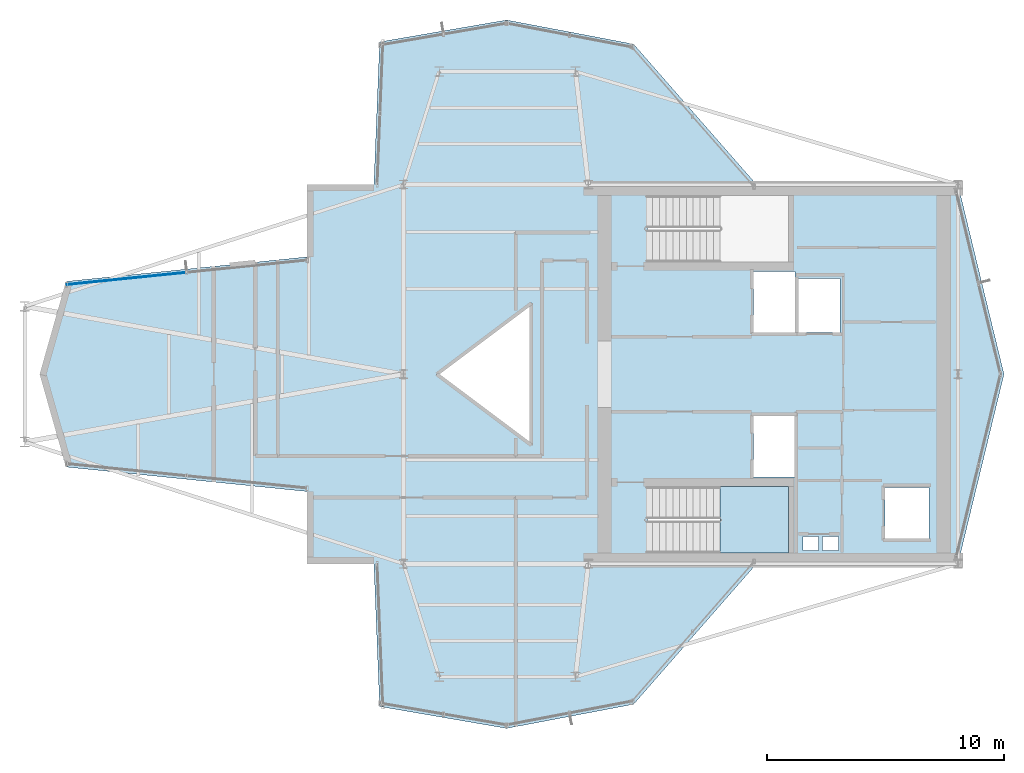
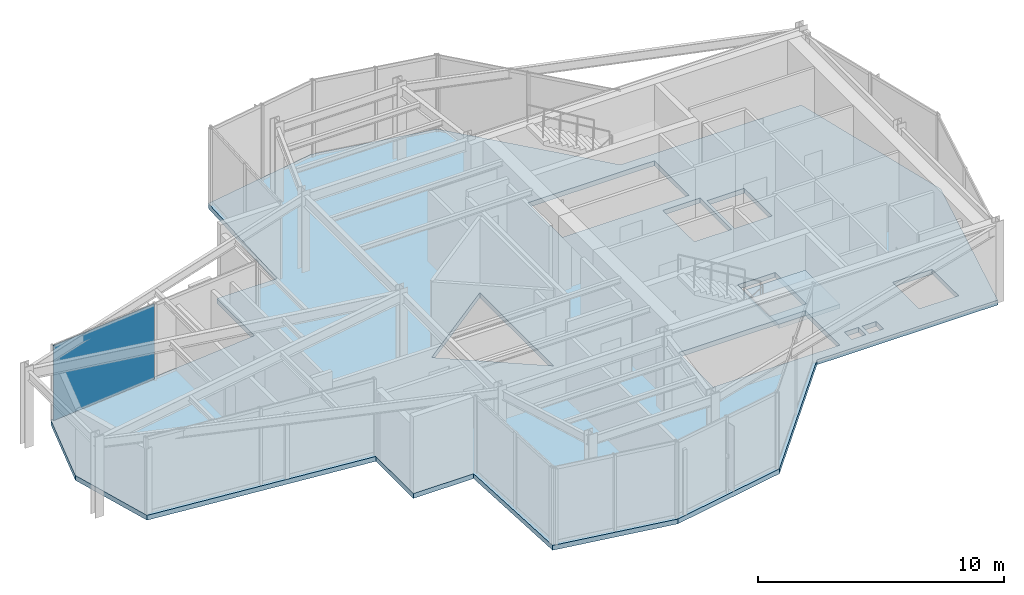
# One storey, part 10 of 15: 2 slabs, 1 plate, 2 elements without a shape of their own.
"""IFC4 building model written with IfcOpenShell, lengths in metres."""

from ifc_helpers import new_model, si_unit, direction, frame, origin, origin_2d, place, context, subcontext, project, spatial, polyline, rectangle, outline, extrude, material, layer, layer_set, type_object, element, aggregate, save


model = new_model("IFC4")

# Units and contexts
model_context = context("Model", 3, precision=1e-05, world=origin(), true_north=direction((0.0, 1.0)))
body_context = subcontext(model_context, "Body", "Model", "MODEL_VIEW")
ifc_project = project(units=[si_unit("LENGTHUNIT", "METRE"), si_unit("AREAUNIT", "SQUARE_METRE"), si_unit("VOLUMEUNIT", "CUBIC_METRE"), si_unit("PLANEANGLEUNIT", "RADIAN"), si_unit("MASSUNIT", "GRAM", prefix="KILO")], contexts=[model_context])

# Site, building, storey
site_placement = place(None, origin())
site = spatial("IfcSite", under=ifc_project, at=site_placement, CompositionType="ELEMENT")
building_placement = place(site_placement, origin())
building = spatial("IfcBuilding", under=site, at=building_placement, Name="Veymaron Broadcast Tower", CompositionType="ELEMENT")
storey_placement = place(building_placement, frame((0.0, 0.0, 266.85009765625)))
storey = spatial("IfcBuildingStorey", under=building, at=storey_placement, Name="L62", CompositionType="ELEMENT", Elevation=266.85009765625)

# Curtain wall, plate
ifc_material_1 = material(Name="Anodised aluminium AA 6063-T6 and laminated low-E dark glass", Category="aluminium")
ifc_layer_1 = layer(ifc_material_1, 0.179931640625)
ifc_layer_set_1 = layer_set([ifc_layer_1], Name="Anodised aluminium AA 6063-T6 and laminated low-E dark glass")
curtain_wall_type = type_object("IfcCurtainWallType", Name="CW-SYS-06", PredefinedType="NOTDEFINED", material=ifc_layer_set_1)
curtain_wall_placement = place(storey_placement, origin())
curtain_wall = element("IfcCurtainWall", 1, at=curtain_wall_placement, inside=storey, type_object=curtain_wall_type, Name="L62 dark-glass curtain wall CW-L62-E11-1", PredefinedType="NOTDEFINED")
ifc_material_2 = material(Name="Insulated dark-anodised aluminium spandrel panel 40 mm", Category="aluminium")
ifc_layer_2 = layer(ifc_material_2, 0.0400390625)
ifc_layer_set_2 = layer_set([ifc_layer_2], Name="Insulated dark-anodised aluminium spandrel panel 40 mm")
plate_type = type_object("IfcPlateType", Name="CW-PNL-03", PredefinedType="CURTAIN_PANEL", material=ifc_layer_set_2)
plate_placement = place(storey_placement, frame((19.5146484375, 28.03466796875, 0.039794921875), z_axis=(0.0, 0.0, 1.0), x_axis=(-0.994870120783, -0.101160480293, 0.0)))
plate = element("IfcPlate", 2, at=plate_placement, type_object=plate_type, Name="CW-L62-E11-1 unitised curtain panel 1", PredefinedType="CURTAIN_PANEL", context=body_context, shape_type="SweptSolid", body=[
    extrude(rectangle(XDim=5.047119140625, YDim=0.0400390625, at=origin_2d()), origin(), (0.0, 0.0, 1.0), 3.72998046875),
])
aggregate(curtain_wall, [plate])

# Slab
ifc_material_3 = material(Name="Concrete C40/50", Category="concrete")
ifc_layer_3 = layer(ifc_material_3, 0.239990234375)
ifc_layer_set_3 = layer_set([ifc_layer_3], Name="Concrete C40/50")
slab_type_1 = type_object("IfcSlabType", Name="SLAB-FS6", PredefinedType="FLOOR", material=ifc_layer_set_3)
slab_1_placement = place(storey_placement, frame((0.0, 0.0, -0.239990234375)))
element("IfcSlab", 3, at=slab_1_placement, inside=storey, type_object=slab_type_1, Name="L62 structural floor slab", PredefinedType="FLOOR", context=body_context, shape_type="SweptSolid", body=[
    extrude(outline(polyline([(46.099853515625, 16.0), (54.60009765625, 16.0), (56.540283203125, 24.0), (54.60009765625, 32.0), (46.099853515625, 32.0), (40.911376953125, 37.9287109375), (35.55322265625, 38.9453125), (30.195068359375, 38.021240234375), (29.95361328125, 32.0), (27.12158203125, 32.0), (27.12158203125, 28.94873046875), (16.9599609375, 27.91552734375), (15.851318359375, 24.0), (16.9599609375, 20.08447265625), (27.12158203125, 19.05126953125), (27.12158203125, 16.0), (29.95361328125, 16.0), (30.195068359375, 9.978759765625), (35.55322265625, 9.0546875), (40.911376953125, 10.0712890625), (46.099853515625, 16.0)]), holes=[polyline([(45.969970703125, 28.330078125), (47.72998046875, 28.330078125), (47.72998046875, 25.77001953125), (45.969970703125, 25.77001953125), (45.969970703125, 28.330078125)]), polyline([(45.969970703125, 22.22998046875), (47.72998046875, 22.22998046875), (47.72998046875, 19.669921875), (45.969970703125, 19.669921875), (45.969970703125, 22.22998046875)]), polyline([(47.8701171875, 28.030029296875), (49.6298828125, 28.030029296875), (49.6298828125, 25.77001953125), (47.8701171875, 25.77001953125), (47.8701171875, 28.030029296875)]), polyline([(51.52001953125, 19.22998046875), (53.3798828125, 19.22998046875), (53.3798828125, 17.070068359375), (51.52001953125, 17.070068359375), (51.52001953125, 19.22998046875)]), polyline([(48.050048828125, 17.159912109375), (48.719970703125, 17.159912109375), (48.719970703125, 16.56005859375), (48.050048828125, 16.56005859375), (48.050048828125, 17.159912109375)]), polyline([(48.8798828125, 17.159912109375), (49.550048828125, 17.159912109375), (49.550048828125, 16.56005859375), (48.8798828125, 16.56005859375), (48.8798828125, 17.159912109375)]), polyline([(36.60009765625, 27.0), (36.60009765625, 21.0), (32.60009765625, 24.0), (36.60009765625, 27.0)]), polyline([(41.489990234375, 31.550048828125), (47.43994140625, 31.550048828125), (47.43994140625, 28.72998046875), (41.489990234375, 28.72998046875), (41.489990234375, 31.550048828125)]), polyline([(41.489990234375, 19.27001953125), (47.43994140625, 19.27001953125), (47.43994140625, 16.449951171875), (41.489990234375, 16.449951171875), (41.489990234375, 19.27001953125)])]), origin(), (0.0, 0.0, 1.0), 0.239990234375),
])

# Stair, slab
ifc_material_4 = material(Name="Concrete C50/60", Category="concrete")
stair_type = type_object("IfcStairType", Name="STAIR-CORE-2", PredefinedType="HALF_TURN_STAIR", material=ifc_material_4)
stair_placement = place(storey_placement, origin())
stair = element("IfcStair", 4, at=stair_placement, inside=storey, type_object=stair_type, Name="L62 South protected dog-leg exit stair ST2", PredefinedType="HALF_TURN_STAIR")
ifc_layer_4 = layer(ifc_material_4, 0.199951171875)
ifc_layer_set_4 = layer_set([ifc_layer_4], Name="Concrete C50/60")
slab_type_2 = type_object("IfcSlabType", Name="SLAB-STAIR-LDG", PredefinedType="LANDING", material=ifc_layer_set_4)
slab_2_placement = place(storey_placement, frame((0.0, 0.0, 1.824951171875)))
slab_2 = element("IfcSlab", 5, at=slab_2_placement, type_object=slab_type_2, Name="ST2 landing 1", PredefinedType="LANDING", context=body_context, shape_type="SweptSolid", body=[
    extrude(outline(polyline([(44.56494140625, 16.449951171875), (47.43994140625, 16.449951171875), (47.43994140625, 19.27001953125), (44.56494140625, 19.27001953125), (44.56494140625, 16.449951171875)])), origin(), (0.0, 0.0, 1.0), 0.199951171875),
])
aggregate(stair, [slab_2])

save(model, "model.ifc")
